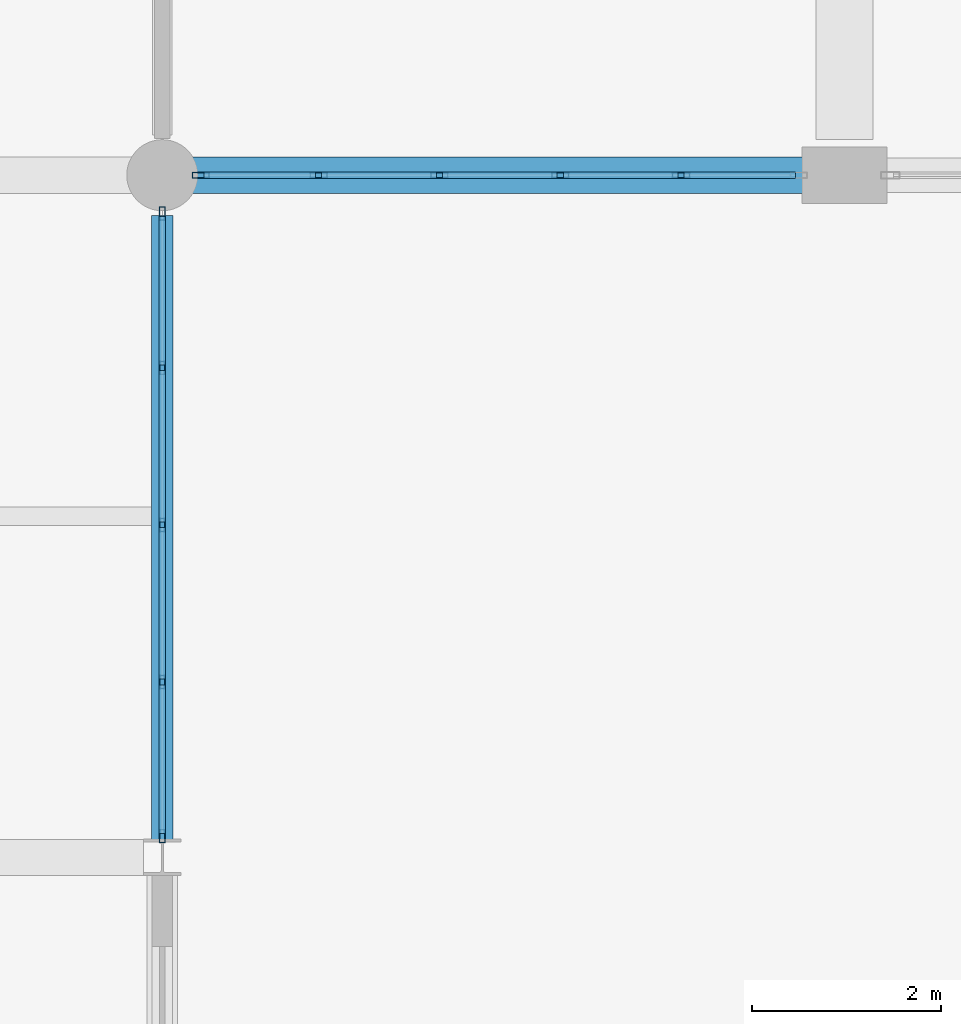
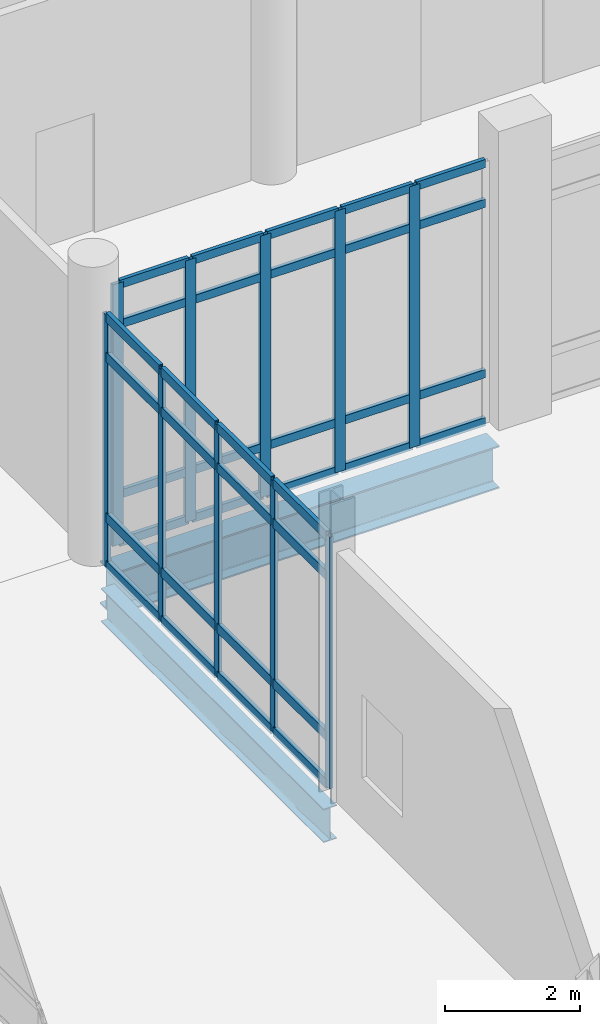
# One storey, part 108 of 229: 46 members, 2 beams, 2 elements without a shape of their own.
"""IFC4 building model written with IfcOpenShell, lengths in metres."""

from ifc_helpers import new_model, si_unit, direction, frame, origin, origin_2d, place, context, subcontext, project, spatial, hollow_rectangle, i_section, extrude, material, layer, layer_set, material_profile, profile_set, type_object, element, aggregate, save


model = new_model("IFC4")

# Units and contexts
model_context = context("Model", 3, precision=1e-05, world=origin(), true_north=direction((0.0, 1.0)))
body_context = subcontext(model_context, "Body", "Model", "MODEL_VIEW")
ifc_project = project(units=[si_unit("LENGTHUNIT", "METRE"), si_unit("AREAUNIT", "SQUARE_METRE"), si_unit("VOLUMEUNIT", "CUBIC_METRE"), si_unit("PLANEANGLEUNIT", "RADIAN"), si_unit("MASSUNIT", "GRAM", prefix="KILO")], contexts=[model_context])

# Site, building, storey
site_placement = place(None, origin())
site = spatial("IfcSite", under=ifc_project, at=site_placement, CompositionType="ELEMENT")
building_placement = place(site_placement, origin())
building = spatial("IfcBuilding", under=site, at=building_placement, Name="Calvrana Isthmian Art Gallery", CompositionType="ELEMENT")
storey_placement = place(building_placement, origin())
storey = spatial("IfcBuildingStorey", under=building, at=storey_placement, Name="L00", CompositionType="ELEMENT", Elevation=0.0)

# Beams
ifc_material_1 = material(Name="Steel ASTM A992 Gr 50", Category="steel")
ifc_material_profile_1 = material_profile(ifc_material_1, i_section(OverallWidth=0.22802734375, OverallDepth=0.60693359375, WebThickness=0.01123046875, FlangeThickness=0.017333984375, FilletRadius=0.02197265625, at=origin_2d()), Name="W24X76")
ifc_profile_set_1 = profile_set([ifc_material_profile_1], Name="Steel ASTM A992 Gr 50")
beam_type_1 = type_object("IfcBeamType", Name="BM-G-W24X76", PredefinedType="BEAM", material=ifc_profile_set_1)
beam_1_placement = place(storey_placement, frame((120.0, 69.79052734375, -0.658447265625), z_axis=(0.0, 1.0, 0.0), x_axis=(-1.0, 0.0, 0.0)))
element("IfcBeam", 1, at=beam_1_placement, inside=storey, type_object=beam_type_1, Name="Girder Y L00 16/J-K", PredefinedType="BEAM", context=body_context, shape_type="SweptSolid", body=[
    extrude(i_section(OverallWidth=0.22802734375, OverallDepth=0.60693359375, WebThickness=0.01123046875, FlangeThickness=0.017333984375, FilletRadius=0.02197265625, at=origin_2d()), origin(), (0.0, 0.0, 1.0), 6.58447265625),
])
ifc_material_profile_2 = material_profile(ifc_material_1, i_section(OverallWidth=0.381103515625, OverallDepth=0.77197265625, WebThickness=0.0166015625, FlangeThickness=0.027099609375, FilletRadius=0.02490234375, at=origin_2d()), Name="W30X173")
ifc_profile_set_2 = profile_set([ifc_material_profile_2], Name="Steel ASTM A992 Gr 50")
beam_type_2 = type_object("IfcBeamType", Name="BM-G-W30X173", PredefinedType="BEAM", material=ifc_profile_set_2)
beam_2_placement = place(storey_placement, frame((120.22509765625, 76.800048828125, -0.740966796875), z_axis=(1.0, 0.0, 0.0), x_axis=(0.0, 1.0, 0.0)))
element("IfcBeam", 2, at=beam_2_placement, inside=storey, type_object=beam_type_2, Name="Girder X L00 16-17/K", PredefinedType="BEAM", context=body_context, shape_type="SweptSolid", body=[
    extrude(i_section(OverallWidth=0.381103515625, OverallDepth=0.77197265625, WebThickness=0.0166015625, FlangeThickness=0.027099609375, FilletRadius=0.02490234375, at=origin_2d()), origin(), (0.0, 0.0, 1.0), 6.599853515625),
])

# Curtain wall, members
ifc_material_2 = material(Name="Anodized bronze aluminium 6063-T6", Category="aluminium")
ifc_layer_1 = layer(ifc_material_2, 0.179931640625, Name="Anodized bronze aluminium 6063-T6")
ifc_layer_set_1 = layer_set([ifc_layer_1], Name="Anodized bronze aluminium 6063-T6")
curtain_wall_type_1 = type_object("IfcCurtainWallType", Name="CW-STICK-066X45", PredefinedType="NOTDEFINED", material=ifc_layer_set_1)
curtain_wall_1_placement = place(storey_placement, origin())
curtain_wall_1 = element("IfcCurtainWall", 3, at=curtain_wall_1_placement, inside=storey, type_object=curtain_wall_type_1, Name="Curtain wall CW-078", PredefinedType="NOTDEFINED")
ifc_material_profile_3 = material_profile(ifc_material_2, hollow_rectangle(XDim=0.06005859375, YDim=0.139892578125, WallThickness=0.00390625, at=origin_2d()), Name="CWM60X140")
ifc_profile_set_3 = profile_set([ifc_material_profile_3], Name="Anodized bronze aluminium 6063-T6")
member_type_1 = type_object("IfcMemberType", Name="CWM-CWM60X140", PredefinedType="MULLION", material=ifc_profile_set_3)
member_1_placement = place(storey_placement, frame((120.0, 76.39501953125, 0.0), z_axis=(0.0, 0.0, 1.0), x_axis=(1.0, 0.0, 0.0)))
member_1 = element("IfcMember", 4, at=member_1_placement, type_object=member_type_1, Name="CW-078 mullion 1", PredefinedType="MULLION", context=body_context, shape_type="SweptSolid", body=[
    extrude(hollow_rectangle(XDim=0.06005859375, YDim=0.139892578125, WallThickness=0.00390625, at=origin_2d()), origin(), (0.0, 0.0, 1.0), 4.547119140625),
])
member_2_placement = place(storey_placement, frame((120.0, 74.76708984375, 0.0), z_axis=(0.0, 0.0, 1.0), x_axis=(1.0, 0.0, 0.0)))
member_2 = element("IfcMember", 5, at=member_2_placement, type_object=member_type_1, Name="CW-078 mullion 2", PredefinedType="MULLION", context=body_context, shape_type="SweptSolid", body=[
    extrude(hollow_rectangle(XDim=0.06005859375, YDim=0.139892578125, WallThickness=0.00390625, at=origin_2d()), origin(), (0.0, 0.0, 1.0), 4.547119140625),
])
member_3_placement = place(storey_placement, frame((120.0, 73.10888671875, 0.0), z_axis=(0.0, 0.0, 1.0), x_axis=(1.0, 0.0, 0.0)))
member_3 = element("IfcMember", 6, at=member_3_placement, type_object=member_type_1, Name="CW-078 mullion 3", PredefinedType="MULLION", context=body_context, shape_type="SweptSolid", body=[
    extrude(hollow_rectangle(XDim=0.06005859375, YDim=0.139892578125, WallThickness=0.00390625, at=origin_2d()), origin(), (0.0, 0.0, 1.0), 4.547119140625),
])
member_4_placement = place(storey_placement, frame((120.0, 71.450927734375, 0.0), z_axis=(0.0, 0.0, 1.0), x_axis=(1.0, 0.0, 0.0)))
member_4 = element("IfcMember", 7, at=member_4_placement, type_object=member_type_1, Name="CW-078 mullion 4", PredefinedType="MULLION", context=body_context, shape_type="SweptSolid", body=[
    extrude(hollow_rectangle(XDim=0.06005859375, YDim=0.139892578125, WallThickness=0.00390625, at=origin_2d()), origin(), (0.0, 0.0, 1.0), 4.547119140625),
])
member_5_placement = place(storey_placement, frame((120.0, 69.822998046875, 0.0), z_axis=(0.0, 0.0, 1.0), x_axis=(1.0, 0.0, 0.0)))
member_5 = element("IfcMember", 8, at=member_5_placement, type_object=member_type_1, Name="CW-078 mullion 5", PredefinedType="MULLION", context=body_context, shape_type="SweptSolid", body=[
    extrude(hollow_rectangle(XDim=0.06005859375, YDim=0.139892578125, WallThickness=0.00390625, at=origin_2d()), origin(), (0.0, 0.0, 1.0), 4.547119140625),
])

ifc_layer_2 = layer(ifc_material_2, 0.179931640625, Name="Anodized bronze aluminium 6063-T6")
ifc_layer_set_2 = layer_set([ifc_layer_2], Name="Anodized bronze aluminium 6063-T6")
curtain_wall_type_2 = type_object("IfcCurtainWallType", Name="CW-STICK-064X47", PredefinedType="NOTDEFINED", material=ifc_layer_set_2)
curtain_wall_2_placement = place(storey_placement, origin())
curtain_wall_2 = element("IfcCurtainWall", 9, at=curtain_wall_2_placement, inside=storey, type_object=curtain_wall_type_2, Name="Curtain wall CW-032", PredefinedType="NOTDEFINED")
ifc_material_profile_4 = material_profile(ifc_material_2, hollow_rectangle(XDim=0.06494140625, YDim=0.179931640625, WallThickness=0.00439453125, at=origin_2d()), Name="CWM65X180")
ifc_profile_set_4 = profile_set([ifc_material_profile_4], Name="Anodized bronze aluminium 6063-T6")
member_type_2 = type_object("IfcMemberType", Name="CWM-CWM65X180", PredefinedType="MULLION", material=ifc_profile_set_4)
member_6_placement = place(storey_placement, frame((125.47509765625, 76.800048828125, 0.0), z_axis=(0.0, 0.0, 1.0), x_axis=(0.0, -1.0, 0.0)))
member_6 = element("IfcMember", 10, at=member_6_placement, type_object=member_type_2, Name="CW-032 mullion 2", PredefinedType="MULLION", context=body_context, shape_type="SweptSolid", body=[
    extrude(hollow_rectangle(XDim=0.06494140625, YDim=0.179931640625, WallThickness=0.00439453125, at=origin_2d()), origin(), (0.0, 0.0, 1.0), 4.72412109375),
])
member_7_placement = place(storey_placement, frame((124.199951171875, 76.800048828125, 0.0), z_axis=(0.0, 0.0, 1.0), x_axis=(0.0, -1.0, 0.0)))
member_7 = element("IfcMember", 11, at=member_7_placement, type_object=member_type_2, Name="CW-032 mullion 3", PredefinedType="MULLION", context=body_context, shape_type="SweptSolid", body=[
    extrude(hollow_rectangle(XDim=0.06494140625, YDim=0.179931640625, WallThickness=0.00439453125, at=origin_2d()), origin(), (0.0, 0.0, 1.0), 4.72412109375),
])
member_8_placement = place(storey_placement, frame((122.925048828125, 76.800048828125, 0.0), z_axis=(0.0, 0.0, 1.0), x_axis=(0.0, -1.0, 0.0)))
member_8 = element("IfcMember", 12, at=member_8_placement, type_object=member_type_2, Name="CW-032 mullion 4", PredefinedType="MULLION", context=body_context, shape_type="SweptSolid", body=[
    extrude(hollow_rectangle(XDim=0.06494140625, YDim=0.179931640625, WallThickness=0.00439453125, at=origin_2d()), origin(), (0.0, 0.0, 1.0), 4.72412109375),
])
member_9_placement = place(storey_placement, frame((121.64990234375, 76.800048828125, 0.0), z_axis=(0.0, 0.0, 1.0), x_axis=(0.0, -1.0, 0.0)))
member_9 = element("IfcMember", 13, at=member_9_placement, type_object=member_type_2, Name="CW-032 mullion 5", PredefinedType="MULLION", context=body_context, shape_type="SweptSolid", body=[
    extrude(hollow_rectangle(XDim=0.06494140625, YDim=0.179931640625, WallThickness=0.00439453125, at=origin_2d()), origin(), (0.0, 0.0, 1.0), 4.72412109375),
])
member_10_placement = place(storey_placement, frame((120.407470703125, 76.800048828125, 0.0), z_axis=(0.0, 0.0, 1.0), x_axis=(0.0, -1.0, 0.0)))
member_10 = element("IfcMember", 14, at=member_10_placement, type_object=member_type_2, Name="CW-032 mullion 6", PredefinedType="MULLION", context=body_context, shape_type="SweptSolid", body=[
    extrude(hollow_rectangle(XDim=0.06494140625, YDim=0.179931640625, WallThickness=0.00439453125, at=origin_2d()), origin(), (0.0, 0.0, 1.0), 4.72412109375),
])
ifc_material_profile_5 = material_profile(ifc_material_2, hollow_rectangle(XDim=0.06494140625, YDim=0.14990234375, WallThickness=0.00390625, at=origin_2d()), Name="CWT65X150")
ifc_profile_set_5 = profile_set([ifc_material_profile_5], Name="Anodized bronze aluminium 6063-T6")
member_type_3 = type_object("IfcMemberType", Name="CWT-CWT65X150", PredefinedType="USERDEFINED", material=ifc_profile_set_5)
member_11_placement = place(storey_placement, frame((126.68505859375, 76.800048828125, 0.032470703125), z_axis=(-1.0, 0.0, 0.0), x_axis=(0.0, -1.0, 0.0)))
member_11 = element("IfcMember", 15, at=member_11_placement, type_object=member_type_3, Name="CW-032 transom 1.1", ObjectType="TRANSOM", PredefinedType="USERDEFINED", context=body_context, shape_type="SweptSolid", body=[
    extrude(hollow_rectangle(XDim=0.06494140625, YDim=0.14990234375, WallThickness=0.00390625, at=origin_2d()), origin(), (0.0, 0.0, 1.0), 1.177490234375),
])
member_12_placement = place(storey_placement, frame((126.68505859375, 76.800048828125, 0.89990234375), z_axis=(-1.0, 0.0, 0.0), x_axis=(0.0, -1.0, 0.0)))
member_12 = element("IfcMember", 16, at=member_12_placement, type_object=member_type_3, Name="CW-032 transom 1.2", ObjectType="TRANSOM", PredefinedType="USERDEFINED", context=body_context, shape_type="SweptSolid", body=[
    extrude(hollow_rectangle(XDim=0.06494140625, YDim=0.14990234375, WallThickness=0.00390625, at=origin_2d()), origin(), (0.0, 0.0, 1.0), 1.177490234375),
])
member_13_placement = place(storey_placement, frame((126.68505859375, 76.800048828125, 3.97412109375), z_axis=(-1.0, 0.0, 0.0), x_axis=(0.0, -1.0, 0.0)))
member_13 = element("IfcMember", 17, at=member_13_placement, type_object=member_type_3, Name="CW-032 transom 1.3", ObjectType="TRANSOM", PredefinedType="USERDEFINED", context=body_context, shape_type="SweptSolid", body=[
    extrude(hollow_rectangle(XDim=0.06494140625, YDim=0.14990234375, WallThickness=0.00390625, at=origin_2d()), origin(), (0.0, 0.0, 1.0), 1.177490234375),
])
member_14_placement = place(storey_placement, frame((126.68505859375, 76.800048828125, 4.69140625), z_axis=(-1.0, 0.0, 0.0), x_axis=(0.0, -1.0, 0.0)))
member_14 = element("IfcMember", 18, at=member_14_placement, type_object=member_type_3, Name="CW-032 transom 1.4", ObjectType="TRANSOM", PredefinedType="USERDEFINED", context=body_context, shape_type="SweptSolid", body=[
    extrude(hollow_rectangle(XDim=0.06494140625, YDim=0.14990234375, WallThickness=0.00390625, at=origin_2d()), origin(), (0.0, 0.0, 1.0), 1.177490234375),
])
member_15_placement = place(storey_placement, frame((125.4423828125, 76.800048828125, 0.032470703125), z_axis=(-1.0, 0.0, 0.0), x_axis=(0.0, -1.0, 0.0)))
member_15 = element("IfcMember", 19, at=member_15_placement, type_object=member_type_3, Name="CW-032 transom 2.1", ObjectType="TRANSOM", PredefinedType="USERDEFINED", context=body_context, shape_type="SweptSolid", body=[
    extrude(hollow_rectangle(XDim=0.06494140625, YDim=0.14990234375, WallThickness=0.00390625, at=origin_2d()), origin(), (0.0, 0.0, 1.0), 1.2099609375),
])
member_16_placement = place(storey_placement, frame((125.4423828125, 76.800048828125, 0.89990234375), z_axis=(-1.0, 0.0, 0.0), x_axis=(0.0, -1.0, 0.0)))
member_16 = element("IfcMember", 20, at=member_16_placement, type_object=member_type_3, Name="CW-032 transom 2.2", ObjectType="TRANSOM", PredefinedType="USERDEFINED", context=body_context, shape_type="SweptSolid", body=[
    extrude(hollow_rectangle(XDim=0.06494140625, YDim=0.14990234375, WallThickness=0.00390625, at=origin_2d()), origin(), (0.0, 0.0, 1.0), 1.2099609375),
])
member_17_placement = place(storey_placement, frame((125.4423828125, 76.800048828125, 3.97412109375), z_axis=(-1.0, 0.0, 0.0), x_axis=(0.0, -1.0, 0.0)))
member_17 = element("IfcMember", 21, at=member_17_placement, type_object=member_type_3, Name="CW-032 transom 2.3", ObjectType="TRANSOM", PredefinedType="USERDEFINED", context=body_context, shape_type="SweptSolid", body=[
    extrude(hollow_rectangle(XDim=0.06494140625, YDim=0.14990234375, WallThickness=0.00390625, at=origin_2d()), origin(), (0.0, 0.0, 1.0), 1.2099609375),
])
member_18_placement = place(storey_placement, frame((125.4423828125, 76.800048828125, 4.69140625), z_axis=(-1.0, 0.0, 0.0), x_axis=(0.0, -1.0, 0.0)))
member_18 = element("IfcMember", 22, at=member_18_placement, type_object=member_type_3, Name="CW-032 transom 2.4", ObjectType="TRANSOM", PredefinedType="USERDEFINED", context=body_context, shape_type="SweptSolid", body=[
    extrude(hollow_rectangle(XDim=0.06494140625, YDim=0.14990234375, WallThickness=0.00390625, at=origin_2d()), origin(), (0.0, 0.0, 1.0), 1.2099609375),
])
member_19_placement = place(storey_placement, frame((124.16748046875, 76.800048828125, 0.032470703125), z_axis=(-1.0, 0.0, 0.0), x_axis=(0.0, -1.0, 0.0)))
member_19 = element("IfcMember", 23, at=member_19_placement, type_object=member_type_3, Name="CW-032 transom 3.1", ObjectType="TRANSOM", PredefinedType="USERDEFINED", context=body_context, shape_type="SweptSolid", body=[
    extrude(hollow_rectangle(XDim=0.06494140625, YDim=0.14990234375, WallThickness=0.00390625, at=origin_2d()), origin(), (0.0, 0.0, 1.0), 1.2099609375),
])
member_20_placement = place(storey_placement, frame((124.16748046875, 76.800048828125, 0.89990234375), z_axis=(-1.0, 0.0, 0.0), x_axis=(0.0, -1.0, 0.0)))
member_20 = element("IfcMember", 24, at=member_20_placement, type_object=member_type_3, Name="CW-032 transom 3.2", ObjectType="TRANSOM", PredefinedType="USERDEFINED", context=body_context, shape_type="SweptSolid", body=[
    extrude(hollow_rectangle(XDim=0.06494140625, YDim=0.14990234375, WallThickness=0.00390625, at=origin_2d()), origin(), (0.0, 0.0, 1.0), 1.2099609375),
])
member_21_placement = place(storey_placement, frame((124.16748046875, 76.800048828125, 3.97412109375), z_axis=(-1.0, 0.0, 0.0), x_axis=(0.0, -1.0, 0.0)))
member_21 = element("IfcMember", 25, at=member_21_placement, type_object=member_type_3, Name="CW-032 transom 3.3", ObjectType="TRANSOM", PredefinedType="USERDEFINED", context=body_context, shape_type="SweptSolid", body=[
    extrude(hollow_rectangle(XDim=0.06494140625, YDim=0.14990234375, WallThickness=0.00390625, at=origin_2d()), origin(), (0.0, 0.0, 1.0), 1.2099609375),
])
member_22_placement = place(storey_placement, frame((124.16748046875, 76.800048828125, 4.69140625), z_axis=(-1.0, 0.0, 0.0), x_axis=(0.0, -1.0, 0.0)))
member_22 = element("IfcMember", 26, at=member_22_placement, type_object=member_type_3, Name="CW-032 transom 3.4", ObjectType="TRANSOM", PredefinedType="USERDEFINED", context=body_context, shape_type="SweptSolid", body=[
    extrude(hollow_rectangle(XDim=0.06494140625, YDim=0.14990234375, WallThickness=0.00390625, at=origin_2d()), origin(), (0.0, 0.0, 1.0), 1.2099609375),
])
member_23_placement = place(storey_placement, frame((122.892578125, 76.800048828125, 0.032470703125), z_axis=(-1.0, 0.0, 0.0), x_axis=(0.0, -1.0, 0.0)))
member_23 = element("IfcMember", 27, at=member_23_placement, type_object=member_type_3, Name="CW-032 transom 4.1", ObjectType="TRANSOM", PredefinedType="USERDEFINED", context=body_context, shape_type="SweptSolid", body=[
    extrude(hollow_rectangle(XDim=0.06494140625, YDim=0.14990234375, WallThickness=0.00390625, at=origin_2d()), origin(), (0.0, 0.0, 1.0), 1.2099609375),
])
member_24_placement = place(storey_placement, frame((122.892578125, 76.800048828125, 0.89990234375), z_axis=(-1.0, 0.0, 0.0), x_axis=(0.0, -1.0, 0.0)))
member_24 = element("IfcMember", 28, at=member_24_placement, type_object=member_type_3, Name="CW-032 transom 4.2", ObjectType="TRANSOM", PredefinedType="USERDEFINED", context=body_context, shape_type="SweptSolid", body=[
    extrude(hollow_rectangle(XDim=0.06494140625, YDim=0.14990234375, WallThickness=0.00390625, at=origin_2d()), origin(), (0.0, 0.0, 1.0), 1.2099609375),
])
member_25_placement = place(storey_placement, frame((122.892578125, 76.800048828125, 3.97412109375), z_axis=(-1.0, 0.0, 0.0), x_axis=(0.0, -1.0, 0.0)))
member_25 = element("IfcMember", 29, at=member_25_placement, type_object=member_type_3, Name="CW-032 transom 4.3", ObjectType="TRANSOM", PredefinedType="USERDEFINED", context=body_context, shape_type="SweptSolid", body=[
    extrude(hollow_rectangle(XDim=0.06494140625, YDim=0.14990234375, WallThickness=0.00390625, at=origin_2d()), origin(), (0.0, 0.0, 1.0), 1.2099609375),
])
member_26_placement = place(storey_placement, frame((122.892578125, 76.800048828125, 4.69140625), z_axis=(-1.0, 0.0, 0.0), x_axis=(0.0, -1.0, 0.0)))
member_26 = element("IfcMember", 30, at=member_26_placement, type_object=member_type_3, Name="CW-032 transom 4.4", ObjectType="TRANSOM", PredefinedType="USERDEFINED", context=body_context, shape_type="SweptSolid", body=[
    extrude(hollow_rectangle(XDim=0.06494140625, YDim=0.14990234375, WallThickness=0.00390625, at=origin_2d()), origin(), (0.0, 0.0, 1.0), 1.2099609375),
])
member_27_placement = place(storey_placement, frame((121.617431640625, 76.800048828125, 0.032470703125), z_axis=(-1.0, 0.0, 0.0), x_axis=(0.0, -1.0, 0.0)))
member_27 = element("IfcMember", 31, at=member_27_placement, type_object=member_type_3, Name="CW-032 transom 5.1", ObjectType="TRANSOM", PredefinedType="USERDEFINED", context=body_context, shape_type="SweptSolid", body=[
    extrude(hollow_rectangle(XDim=0.06494140625, YDim=0.14990234375, WallThickness=0.00390625, at=origin_2d()), origin(), (0.0, 0.0, 1.0), 1.177490234375),
])
member_28_placement = place(storey_placement, frame((121.617431640625, 76.800048828125, 0.89990234375), z_axis=(-1.0, 0.0, 0.0), x_axis=(0.0, -1.0, 0.0)))
member_28 = element("IfcMember", 32, at=member_28_placement, type_object=member_type_3, Name="CW-032 transom 5.2", ObjectType="TRANSOM", PredefinedType="USERDEFINED", context=body_context, shape_type="SweptSolid", body=[
    extrude(hollow_rectangle(XDim=0.06494140625, YDim=0.14990234375, WallThickness=0.00390625, at=origin_2d()), origin(), (0.0, 0.0, 1.0), 1.177490234375),
])
member_29_placement = place(storey_placement, frame((121.617431640625, 76.800048828125, 3.97412109375), z_axis=(-1.0, 0.0, 0.0), x_axis=(0.0, -1.0, 0.0)))
member_29 = element("IfcMember", 33, at=member_29_placement, type_object=member_type_3, Name="CW-032 transom 5.3", ObjectType="TRANSOM", PredefinedType="USERDEFINED", context=body_context, shape_type="SweptSolid", body=[
    extrude(hollow_rectangle(XDim=0.06494140625, YDim=0.14990234375, WallThickness=0.00390625, at=origin_2d()), origin(), (0.0, 0.0, 1.0), 1.177490234375),
])
member_30_placement = place(storey_placement, frame((121.617431640625, 76.800048828125, 4.69140625), z_axis=(-1.0, 0.0, 0.0), x_axis=(0.0, -1.0, 0.0)))
member_30 = element("IfcMember", 34, at=member_30_placement, type_object=member_type_3, Name="CW-032 transom 5.4", ObjectType="TRANSOM", PredefinedType="USERDEFINED", context=body_context, shape_type="SweptSolid", body=[
    extrude(hollow_rectangle(XDim=0.06494140625, YDim=0.14990234375, WallThickness=0.00390625, at=origin_2d()), origin(), (0.0, 0.0, 1.0), 1.177490234375),
])
aggregate(curtain_wall_2, [member_6, member_7, member_8, member_9, member_10, member_11, member_12, member_13, member_14, member_15, member_16, member_17, member_18, member_19, member_20, member_21, member_22, member_23, member_24, member_25, member_26, member_27, member_28, member_29, member_30])

# Member
ifc_material_profile_6 = material_profile(ifc_material_2, hollow_rectangle(XDim=0.070068359375, YDim=0.169921875, WallThickness=0.00439453125, at=origin_2d()), Name="CWT70X170")
ifc_profile_set_6 = profile_set([ifc_material_profile_6], Name="Anodized bronze aluminium 6063-T6")
member_type_4 = type_object("IfcMemberType", Name="CWT-CWT70X170", PredefinedType="USERDEFINED", material=ifc_profile_set_6)
member_31_placement = place(storey_placement, frame((120.0, 76.364990234375, 0.034912109375), z_axis=(0.0, -1.0, 0.0), x_axis=(1.0, 0.0, 0.0)))
member_31 = element("IfcMember", 35, at=member_31_placement, type_object=member_type_4, Name="CW-078 transom 1.1", ObjectType="TRANSOM", PredefinedType="USERDEFINED", context=body_context, shape_type="SweptSolid", body=[
    extrude(hollow_rectangle(XDim=0.070068359375, YDim=0.169921875, WallThickness=0.00439453125, at=origin_2d()), origin(), (0.0, 0.0, 1.0), 1.56787109375),
])

member_32_placement = place(storey_placement, frame((120.0, 76.364990234375, 0.89990234375), z_axis=(0.0, -1.0, 0.0), x_axis=(1.0, 0.0, 0.0)))
member_32 = element("IfcMember", 36, at=member_32_placement, type_object=member_type_4, Name="CW-078 transom 1.2", ObjectType="TRANSOM", PredefinedType="USERDEFINED", context=body_context, shape_type="SweptSolid", body=[
    extrude(hollow_rectangle(XDim=0.070068359375, YDim=0.169921875, WallThickness=0.00439453125, at=origin_2d()), origin(), (0.0, 0.0, 1.0), 1.56787109375),
])

member_33_placement = place(storey_placement, frame((120.0, 76.364990234375, 3.797119140625), z_axis=(0.0, -1.0, 0.0), x_axis=(1.0, 0.0, 0.0)))
member_33 = element("IfcMember", 37, at=member_33_placement, type_object=member_type_4, Name="CW-078 transom 1.3", ObjectType="TRANSOM", PredefinedType="USERDEFINED", context=body_context, shape_type="SweptSolid", body=[
    extrude(hollow_rectangle(XDim=0.070068359375, YDim=0.169921875, WallThickness=0.00439453125, at=origin_2d()), origin(), (0.0, 0.0, 1.0), 1.56787109375),
])

member_34_placement = place(storey_placement, frame((120.0, 76.364990234375, 4.511962890625), z_axis=(0.0, -1.0, 0.0), x_axis=(1.0, 0.0, 0.0)))
member_34 = element("IfcMember", 38, at=member_34_placement, type_object=member_type_4, Name="CW-078 transom 1.4", ObjectType="TRANSOM", PredefinedType="USERDEFINED", context=body_context, shape_type="SweptSolid", body=[
    extrude(hollow_rectangle(XDim=0.070068359375, YDim=0.169921875, WallThickness=0.00439453125, at=origin_2d()), origin(), (0.0, 0.0, 1.0), 1.56787109375),
])

member_35_placement = place(storey_placement, frame((120.0, 74.737060546875, 0.034912109375), z_axis=(0.0, -1.0, 0.0), x_axis=(1.0, 0.0, 0.0)))
member_35 = element("IfcMember", 39, at=member_35_placement, type_object=member_type_4, Name="CW-078 transom 2.1", ObjectType="TRANSOM", PredefinedType="USERDEFINED", context=body_context, shape_type="SweptSolid", body=[
    extrude(hollow_rectangle(XDim=0.070068359375, YDim=0.169921875, WallThickness=0.00439453125, at=origin_2d()), origin(), (0.0, 0.0, 1.0), 1.59814453125),
])

member_36_placement = place(storey_placement, frame((120.0, 74.737060546875, 0.89990234375), z_axis=(0.0, -1.0, 0.0), x_axis=(1.0, 0.0, 0.0)))
member_36 = element("IfcMember", 40, at=member_36_placement, type_object=member_type_4, Name="CW-078 transom 2.2", ObjectType="TRANSOM", PredefinedType="USERDEFINED", context=body_context, shape_type="SweptSolid", body=[
    extrude(hollow_rectangle(XDim=0.070068359375, YDim=0.169921875, WallThickness=0.00439453125, at=origin_2d()), origin(), (0.0, 0.0, 1.0), 1.59814453125),
])

member_37_placement = place(storey_placement, frame((120.0, 74.737060546875, 3.797119140625), z_axis=(0.0, -1.0, 0.0), x_axis=(1.0, 0.0, 0.0)))
member_37 = element("IfcMember", 41, at=member_37_placement, type_object=member_type_4, Name="CW-078 transom 2.3", ObjectType="TRANSOM", PredefinedType="USERDEFINED", context=body_context, shape_type="SweptSolid", body=[
    extrude(hollow_rectangle(XDim=0.070068359375, YDim=0.169921875, WallThickness=0.00439453125, at=origin_2d()), origin(), (0.0, 0.0, 1.0), 1.59814453125),
])

member_38_placement = place(storey_placement, frame((120.0, 74.737060546875, 4.511962890625), z_axis=(0.0, -1.0, 0.0), x_axis=(1.0, 0.0, 0.0)))
member_38 = element("IfcMember", 42, at=member_38_placement, type_object=member_type_4, Name="CW-078 transom 2.4", ObjectType="TRANSOM", PredefinedType="USERDEFINED", context=body_context, shape_type="SweptSolid", body=[
    extrude(hollow_rectangle(XDim=0.070068359375, YDim=0.169921875, WallThickness=0.00439453125, at=origin_2d()), origin(), (0.0, 0.0, 1.0), 1.59814453125),
])

member_39_placement = place(storey_placement, frame((120.0, 73.0791015625, 0.034912109375), z_axis=(0.0, -1.0, 0.0), x_axis=(1.0, 0.0, 0.0)))
member_39 = element("IfcMember", 43, at=member_39_placement, type_object=member_type_4, Name="CW-078 transom 3.1", ObjectType="TRANSOM", PredefinedType="USERDEFINED", context=body_context, shape_type="SweptSolid", body=[
    extrude(hollow_rectangle(XDim=0.070068359375, YDim=0.169921875, WallThickness=0.00439453125, at=origin_2d()), origin(), (0.0, 0.0, 1.0), 1.59814453125),
])

member_40_placement = place(storey_placement, frame((120.0, 73.0791015625, 0.89990234375), z_axis=(0.0, -1.0, 0.0), x_axis=(1.0, 0.0, 0.0)))
member_40 = element("IfcMember", 44, at=member_40_placement, type_object=member_type_4, Name="CW-078 transom 3.2", ObjectType="TRANSOM", PredefinedType="USERDEFINED", context=body_context, shape_type="SweptSolid", body=[
    extrude(hollow_rectangle(XDim=0.070068359375, YDim=0.169921875, WallThickness=0.00439453125, at=origin_2d()), origin(), (0.0, 0.0, 1.0), 1.59814453125),
])

member_41_placement = place(storey_placement, frame((120.0, 73.0791015625, 3.797119140625), z_axis=(0.0, -1.0, 0.0), x_axis=(1.0, 0.0, 0.0)))
member_41 = element("IfcMember", 45, at=member_41_placement, type_object=member_type_4, Name="CW-078 transom 3.3", ObjectType="TRANSOM", PredefinedType="USERDEFINED", context=body_context, shape_type="SweptSolid", body=[
    extrude(hollow_rectangle(XDim=0.070068359375, YDim=0.169921875, WallThickness=0.00439453125, at=origin_2d()), origin(), (0.0, 0.0, 1.0), 1.59814453125),
])

member_42_placement = place(storey_placement, frame((120.0, 73.0791015625, 4.511962890625), z_axis=(0.0, -1.0, 0.0), x_axis=(1.0, 0.0, 0.0)))
member_42 = element("IfcMember", 46, at=member_42_placement, type_object=member_type_4, Name="CW-078 transom 3.4", ObjectType="TRANSOM", PredefinedType="USERDEFINED", context=body_context, shape_type="SweptSolid", body=[
    extrude(hollow_rectangle(XDim=0.070068359375, YDim=0.169921875, WallThickness=0.00439453125, at=origin_2d()), origin(), (0.0, 0.0, 1.0), 1.59814453125),
])

member_43_placement = place(storey_placement, frame((120.0, 71.4208984375, 0.034912109375), z_axis=(0.0, -1.0, 0.0), x_axis=(1.0, 0.0, 0.0)))
member_43 = element("IfcMember", 47, at=member_43_placement, type_object=member_type_4, Name="CW-078 transom 4.1", ObjectType="TRANSOM", PredefinedType="USERDEFINED", context=body_context, shape_type="SweptSolid", body=[
    extrude(hollow_rectangle(XDim=0.070068359375, YDim=0.169921875, WallThickness=0.00439453125, at=origin_2d()), origin(), (0.0, 0.0, 1.0), 1.56787109375),
])

member_44_placement = place(storey_placement, frame((120.0, 71.4208984375, 0.89990234375), z_axis=(0.0, -1.0, 0.0), x_axis=(1.0, 0.0, 0.0)))
member_44 = element("IfcMember", 48, at=member_44_placement, type_object=member_type_4, Name="CW-078 transom 4.2", ObjectType="TRANSOM", PredefinedType="USERDEFINED", context=body_context, shape_type="SweptSolid", body=[
    extrude(hollow_rectangle(XDim=0.070068359375, YDim=0.169921875, WallThickness=0.00439453125, at=origin_2d()), origin(), (0.0, 0.0, 1.0), 1.56787109375),
])

member_45_placement = place(storey_placement, frame((120.0, 71.4208984375, 3.797119140625), z_axis=(0.0, -1.0, 0.0), x_axis=(1.0, 0.0, 0.0)))
member_45 = element("IfcMember", 49, at=member_45_placement, type_object=member_type_4, Name="CW-078 transom 4.3", ObjectType="TRANSOM", PredefinedType="USERDEFINED", context=body_context, shape_type="SweptSolid", body=[
    extrude(hollow_rectangle(XDim=0.070068359375, YDim=0.169921875, WallThickness=0.00439453125, at=origin_2d()), origin(), (0.0, 0.0, 1.0), 1.56787109375),
])

member_46_placement = place(storey_placement, frame((120.0, 71.4208984375, 4.511962890625), z_axis=(0.0, -1.0, 0.0), x_axis=(1.0, 0.0, 0.0)))
member_46 = element("IfcMember", 50, at=member_46_placement, type_object=member_type_4, Name="CW-078 transom 4.4", ObjectType="TRANSOM", PredefinedType="USERDEFINED", context=body_context, shape_type="SweptSolid", body=[
    extrude(hollow_rectangle(XDim=0.070068359375, YDim=0.169921875, WallThickness=0.00439453125, at=origin_2d()), origin(), (0.0, 0.0, 1.0), 1.56787109375),
])

aggregate(curtain_wall_1, [member_1, member_2, member_3, member_4, member_5, member_31, member_32, member_33, member_34, member_35, member_36, member_37, member_38, member_39, member_40, member_41, member_42, member_43, member_44, member_45, member_46])

save(model, "model.ifc")
